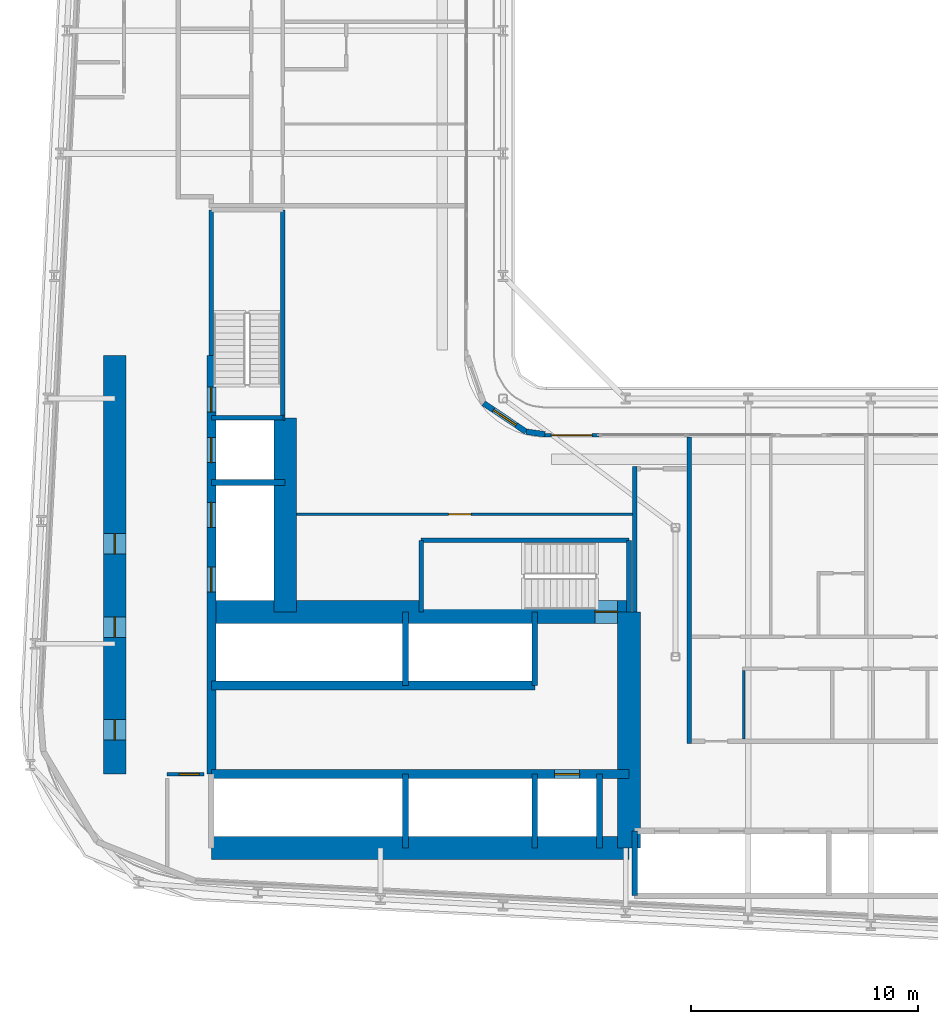
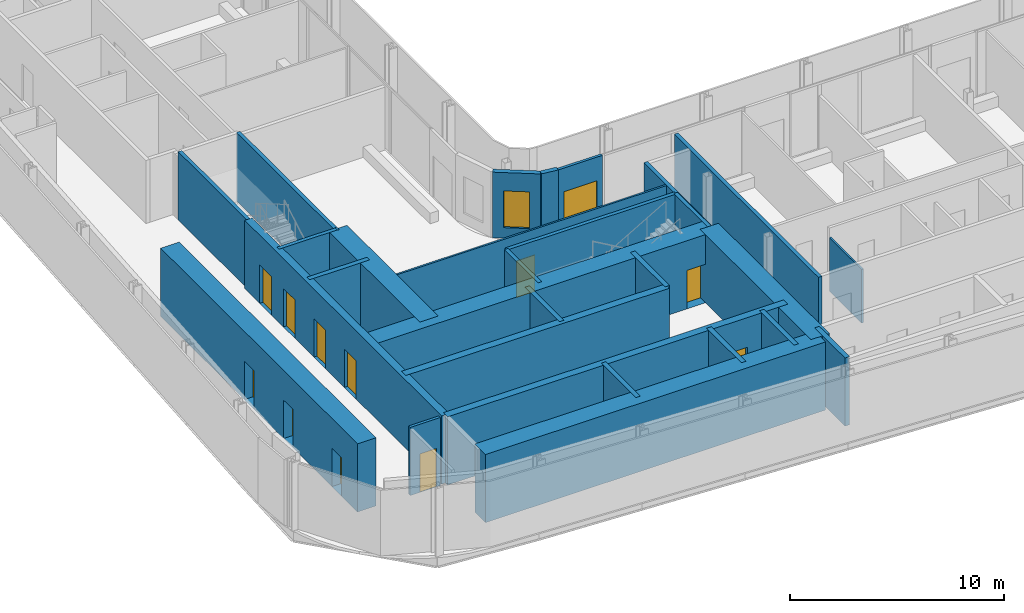
# One storey, part 12 of 27: 30 walls, 12 doors, 1 window, 13 openings.
"""IFC4 building model written with IfcOpenShell, lengths in metres."""

from ifc_helpers import new_model, si_unit, direction, frame, frame_2d, origin, place, context, subcontext, project, spatial, rectangle, extrude, source, transform, mapped, material, layer, layer_set, type_object, element, fill, save


model = new_model("IFC4")

# Units and contexts
model_context = context("Model", 3, precision=1e-05, world=origin(), true_north=direction((0.0, 1.0)))
body_context = subcontext(model_context, "Body", "Model", "MODEL_VIEW")
ifc_project = project(units=[si_unit("LENGTHUNIT", "METRE"), si_unit("AREAUNIT", "SQUARE_METRE"), si_unit("VOLUMEUNIT", "CUBIC_METRE"), si_unit("PLANEANGLEUNIT", "RADIAN"), si_unit("MASSUNIT", "GRAM", prefix="KILO")], contexts=[model_context])

# Site, building, storey
site_placement = place(None, origin())
site = spatial("IfcSite", under=ifc_project, at=site_placement, CompositionType="ELEMENT")
building_placement = place(site_placement, origin())
building = spatial("IfcBuilding", under=site, at=building_placement, Name="Kheshtan School and Residences Tower", CompositionType="ELEMENT")
storey_placement = place(building_placement, frame((0.0, 0.0, 53.89990234375)))
storey = spatial("IfcBuildingStorey", under=building, at=storey_placement, Name="L12", CompositionType="ELEMENT", Elevation=53.89990234375)

# Wall
ifc_material_1 = material(Name="Concrete C80/95", Category="concrete")
ifc_layer_1 = layer(ifc_material_1, 1.0)
ifc_layer_set_1 = layer_set([ifc_layer_1], Name="Core wall 1000 Concrete C80/95")
wall_type_1 = type_object("IfcWallType", Name="Core wall 1000 Concrete C80/95", PredefinedType="SHEAR", material=ifc_layer_set_1)
wall_1_placement = place(storey_placement, frame((34.75, 25.800048828125, 0.0), z_axis=(0.0, 0.0, 1.0), x_axis=(1.0, 0.0, 0.0)))
element("IfcWall", 1, at=wall_1_placement, inside=storey, type_object=wall_type_1, Name="Core wall CW-REAR-S", PredefinedType="SHEAR", context=body_context, shape_type="SweptSolid", body=[
    extrude(rectangle(XDim=18.39990234375, YDim=1.0, at=frame_2d((9.199951171875, 0.0))), origin(), (0.0, 0.0, 1.0), 3.900146484375),
])

# Wall, opening, door
wall_2_placement = place(storey_placement, frame((34.75, 36.199951171875, 0.0), z_axis=(0.0, 0.0, 1.0), x_axis=(1.0, 0.0, 0.0)))
wall_2 = element("IfcWall", 2, at=wall_2_placement, inside=storey, type_object=wall_type_1, Name="Core wall CW-FRONT-S", PredefinedType="SHEAR", context=body_context, shape_type="SweptSolid", body=[
    extrude(rectangle(XDim=18.39990234375, YDim=1.0, at=frame_2d((9.199951171875, 0.0))), origin(), (0.0, 0.0, 1.0), 3.900146484375),
])
opening_1_placement = place(wall_2_placement, frame((16.89990234375, 0.0, 0.0)))
opening_1 = element("IfcOpeningElement", 3, at=opening_1_placement, cuts=wall_2, Name="Opening ST1D", PredefinedType="OPENING", context=body_context, shape_type="SweptSolid", body=[
    extrude(rectangle(XDim=1.0, YDim=2.199951171875, at=frame_2d((0.5, 1.10009765625))), frame((0.0, 0.510009765625, 0.0), z_axis=(0.0, -1.0, 0.0), x_axis=(1.0, 0.0, 0.0)), (0.0, 0.0, 1.0), 1.02001953125),
])
ifc_material_2 = material(Name="Steel door leaf, galvanised", Category="steel")
door_type_1 = type_object("IfcDoorType", Name="Stair door 1100 steel 90 min", OperationType="SINGLE_SWING_LEFT", PredefinedType="DOOR", material=ifc_material_2)
shared_shape_1 = source(origin(), body_context, "Body", "SweptSolid", [
    extrude(rectangle(XDim=1.0, YDim=2.199951171875, at=frame_2d((0.5, 1.10009765625))), frame((0.0, 0.02490234375, 0.0), z_axis=(0.0, -1.0, 0.0), x_axis=(1.0, 0.0, 0.0)), (0.0, 0.0, 1.0), 0.050048828125),
])
door_1_placement = place(opening_1_placement, origin())
door_1 = element("IfcDoor", 4, at=door_1_placement, inside=storey, type_object=door_type_1, Name="Stair ST1 door", OperationType="SINGLE_SWING_RIGHT", OverallHeight=2.199951171875, OverallWidth=1.0, PredefinedType="DOOR", context=body_context, shape_type="MappedRepresentation", body=[
    mapped(shared_shape_1, transform((0.0, 0.0, 0.0), x_axis=(1.0, 0.0, 0.0), y_axis=(0.0, 1.0, 0.0), z_axis=(0.0, 0.0, 1.0), scale=1.0)),
])
fill(opening_1, door_1)

# Wall
wall_3_placement = place(storey_placement, frame((38.0, 36.199951171875, 0.0), z_axis=(0.0, 0.0, 1.0), x_axis=(0.0, 1.0, 0.0)))
element("IfcWall", 5, at=wall_3_placement, inside=storey, type_object=wall_type_1, Name="Core wall CW-FRONT-W", PredefinedType="SHEAR", context=body_context, shape_type="SweptSolid", body=[
    extrude(rectangle(XDim=8.550048828125, YDim=1.0, at=frame_2d((4.27490234375, 0.0))), origin(), (0.0, 0.0, 1.0), 3.900146484375),
])

# Wall, openings, doors
wall_4_placement = place(storey_placement, frame((30.5, 29.050048828125, 0.0), z_axis=(0.0, 0.0, 1.0), x_axis=(0.0, 1.0, 0.0)))
wall_4 = element("IfcWall", 6, at=wall_4_placement, inside=storey, type_object=wall_type_1, Name="Core wall CW-REAR-W", PredefinedType="SHEAR", context=body_context, shape_type="SweptSolid", body=[
    extrude(rectangle(XDim=18.449951171875, YDim=1.0, at=frame_2d((9.22509765625, 0.0))), origin(), (0.0, 0.0, 1.0), 3.900146484375),
])
opening_2_placement = place(wall_4_placement, frame((1.5, 0.0, 0.0)))
opening_2 = element("IfcOpeningElement", 7, at=opening_2_placement, cuts=wall_4, Name="Opening SR90", PredefinedType="OPENING", context=body_context, shape_type="SweptSolid", body=[
    extrude(rectangle(XDim=0.89990234375, YDim=2.199951171875, at=frame_2d((0.449951171875, 1.10009765625))), frame((0.0, 0.510009765625, 0.0), z_axis=(0.0, -1.0, 0.0), x_axis=(1.0, 0.0, 0.0)), (0.0, 0.0, 1.0), 1.02001953125),
])
opening_3_placement = place(wall_4_placement, frame((6.030029296875, 0.0, 0.0)))
opening_3 = element("IfcOpeningElement", 8, at=opening_3_placement, cuts=wall_4, Name="Opening SR90", PredefinedType="OPENING", context=body_context, shape_type="SweptSolid", body=[
    extrude(rectangle(XDim=0.89990234375, YDim=2.199951171875, at=frame_2d((0.449951171875, 1.10009765625))), frame((0.0, 0.510009765625, 0.0), z_axis=(0.0, -1.0, 0.0), x_axis=(1.0, 0.0, 0.0)), (0.0, 0.0, 1.0), 1.02001953125),
])
opening_4_placement = place(wall_4_placement, frame((9.699951171875, 0.0, 0.0)))
opening_4 = element("IfcOpeningElement", 9, at=opening_4_placement, cuts=wall_4, Name="Opening SR90", PredefinedType="OPENING", context=body_context, shape_type="SweptSolid", body=[
    extrude(rectangle(XDim=0.89990234375, YDim=2.199951171875, at=frame_2d((0.449951171875, 1.10009765625))), frame((0.0, 0.510009765625, 0.0), z_axis=(0.0, -1.0, 0.0), x_axis=(1.0, 0.0, 0.0)), (0.0, 0.0, 1.0), 1.02001953125),
])
door_type_2 = type_object("IfcDoorType", Name="Service room door 900 steel 90 min", OperationType="SINGLE_SWING_LEFT", PredefinedType="DOOR", material=ifc_material_2)
shared_shape_2 = source(origin(), body_context, "Body", "SweptSolid", [
    extrude(rectangle(XDim=0.89990234375, YDim=2.199951171875, at=frame_2d((0.449951171875, 1.10009765625))), frame((0.0, 0.02490234375, 0.0), z_axis=(0.0, -1.0, 0.0), x_axis=(1.0, 0.0, 0.0)), (0.0, 0.0, 1.0), 0.050048828125),
])
door_2_placement = place(opening_2_placement, origin())
door_2 = element("IfcDoor", 10, at=door_2_placement, inside=storey, type_object=door_type_2, Name="Service room door", OperationType="SINGLE_SWING_LEFT", OverallHeight=2.199951171875, OverallWidth=0.89990234375, PredefinedType="DOOR", context=body_context, shape_type="MappedRepresentation", body=[
    mapped(shared_shape_2, transform((0.0, 0.0, 0.0), x_axis=(1.0, 0.0, 0.0), y_axis=(0.0, 1.0, 0.0), z_axis=(0.0, 0.0, 1.0), scale=1.0)),
])
fill(opening_2, door_2)
door_3_placement = place(opening_3_placement, origin())
door_3 = element("IfcDoor", 11, at=door_3_placement, inside=storey, type_object=door_type_2, Name="Service room door", OperationType="SINGLE_SWING_RIGHT", OverallHeight=2.199951171875, OverallWidth=0.89990234375, PredefinedType="DOOR", context=body_context, shape_type="MappedRepresentation", body=[
    mapped(shared_shape_2, transform((0.0, 0.0, 0.0), x_axis=(1.0, 0.0, 0.0), y_axis=(0.0, 1.0, 0.0), z_axis=(0.0, 0.0, 1.0), scale=1.0)),
])
fill(opening_3, door_3)
door_4_placement = place(opening_4_placement, origin())
door_4 = element("IfcDoor", 12, at=door_4_placement, inside=storey, type_object=door_type_2, Name="Service room door", OperationType="SINGLE_SWING_LEFT", OverallHeight=2.199951171875, OverallWidth=0.89990234375, PredefinedType="DOOR", context=body_context, shape_type="MappedRepresentation", body=[
    mapped(shared_shape_2, transform((0.0, 0.0, 0.0), x_axis=(1.0, 0.0, 0.0), y_axis=(0.0, 1.0, 0.0), z_axis=(0.0, 0.0, 1.0), scale=1.0)),
])
fill(opening_4, door_4)

# Wall
wall_5_placement = place(storey_placement, frame((53.14990234375, 25.800048828125, 0.0), z_axis=(0.0, 0.0, 1.0), x_axis=(0.0, 1.0, 0.0)))
element("IfcWall", 13, at=wall_5_placement, inside=storey, type_object=wall_type_1, Name="Core wall CW-EAST", PredefinedType="SHEAR", context=body_context, shape_type="SweptSolid", body=[
    extrude(rectangle(XDim=10.39990234375, YDim=1.0, at=frame_2d((5.199951171875, 0.0))), origin(), (0.0, 0.0, 1.0), 3.900146484375),
])

# Wall, opening, door
ifc_material_3 = material(Name="Concrete C50/60", Category="concrete")
ifc_layer_2 = layer(ifc_material_3, 0.39990234375)
ifc_layer_set_2 = layer_set([ifc_layer_2], Name="Core wall 400 Concrete C50/60")
wall_type_2 = type_object("IfcWallType", Name="Core wall 400 Concrete C50/60", PredefinedType="SHEAR", material=ifc_layer_set_2)
wall_6_placement = place(storey_placement, frame((34.75, 29.050048828125, 0.0), z_axis=(0.0, 0.0, 1.0), x_axis=(1.0, 0.0, 0.0)))
wall_6 = element("IfcWall", 14, at=wall_6_placement, inside=storey, type_object=wall_type_2, Name="Core wall CW-HALL-S1", PredefinedType="SHEAR", context=body_context, shape_type="SweptSolid", body=[
    extrude(rectangle(XDim=18.39990234375, YDim=0.39990234375, at=frame_2d((9.199951171875, 0.0))), origin(), (0.0, 0.0, 1.0), 3.900146484375),
])
opening_5_placement = place(wall_6_placement, frame((15.125, 0.0, 0.0)))
opening_5 = element("IfcOpeningElement", 15, at=opening_5_placement, cuts=wall_6, Name="Opening LD", PredefinedType="OPENING", context=body_context, shape_type="SweptSolid", body=[
    extrude(rectangle(XDim=1.10009765625, YDim=2.199951171875, at=frame_2d((0.550048828125, 1.10009765625))), frame((0.0, 0.2099609375, 0.0), z_axis=(0.0, -1.0, 0.0), x_axis=(1.0, 0.0, 0.0)), (0.0, 0.0, 1.0), 0.419921875),
])
ifc_material_4 = material(Name="Stainless steel door leaves", Category="steel")
door_type_3 = type_object("IfcDoorType", Name="Lift landing door 1100", OperationType="SLIDING_TO_LEFT", PredefinedType="DOOR", material=ifc_material_4)
shared_shape_3 = source(origin(), body_context, "Body", "SweptSolid", [
    extrude(rectangle(XDim=1.10009765625, YDim=2.199951171875, at=frame_2d((0.550048828125, 1.10009765625))), frame((0.0, 0.02490234375, 0.0), z_axis=(0.0, -1.0, 0.0), x_axis=(1.0, 0.0, 0.0)), (0.0, 0.0, 1.0), 0.050048828125),
])
door_5_placement = place(opening_5_placement, origin())
door_5 = element("IfcDoor", 16, at=door_5_placement, inside=storey, type_object=door_type_3, Name="Lift FFL2 landing door", OperationType="SLIDING_TO_LEFT", OverallHeight=2.199951171875, OverallWidth=1.10009765625, PredefinedType="DOOR", context=body_context, shape_type="MappedRepresentation", body=[
    mapped(shared_shape_3, transform((0.0, 0.0, 0.0), x_axis=(1.0, 0.0, 0.0), y_axis=(0.0, 1.0, 0.0), z_axis=(0.0, 0.0, 1.0), scale=1.0)),
])
fill(opening_5, door_5)

# Wall
wall_7_placement = place(storey_placement, frame((34.75, 32.949951171875, 0.0), z_axis=(0.0, 0.0, 1.0), x_axis=(1.0, 0.0, 0.0)))
element("IfcWall", 17, at=wall_7_placement, inside=storey, type_object=wall_type_2, Name="Core wall CW-HALL-S2", PredefinedType="SHEAR", context=body_context, shape_type="SweptSolid", body=[
    extrude(rectangle(XDim=14.25, YDim=0.39990234375, at=frame_2d((7.125, 0.0))), origin(), (0.0, 0.0, 1.0), 3.900146484375),
])

# Wall, openings, doors
wall_8_placement = place(storey_placement, frame((34.75, 29.050048828125, 0.0), z_axis=(0.0, 0.0, 1.0), x_axis=(0.0, 1.0, 0.0)))
wall_8 = element("IfcWall", 18, at=wall_8_placement, inside=storey, type_object=wall_type_2, Name="Core wall CW-HALL-W1", PredefinedType="SHEAR", context=body_context, shape_type="SweptSolid", body=[
    extrude(rectangle(XDim=18.449951171875, YDim=0.39990234375, at=frame_2d((9.22509765625, 0.0))), origin(), (0.0, 0.0, 1.0), 3.900146484375),
])
opening_6_placement = place(wall_8_placement, frame((8.02490234375, 0.0, 0.0)))
opening_6 = element("IfcOpeningElement", 19, at=opening_6_placement, cuts=wall_8, Name="Opening LD", PredefinedType="OPENING", context=body_context, shape_type="SweptSolid", body=[
    extrude(rectangle(XDim=1.10009765625, YDim=2.199951171875, at=frame_2d((0.550048828125, 1.10009765625))), frame((0.0, 0.2099609375, 0.0), z_axis=(0.0, -1.0, 0.0), x_axis=(1.0, 0.0, 0.0)), (0.0, 0.0, 1.0), 0.419921875),
])
opening_7_placement = place(wall_8_placement, frame((10.875, 0.0, 0.0)))
opening_7 = element("IfcOpeningElement", 20, at=opening_7_placement, cuts=wall_8, Name="Opening LD", PredefinedType="OPENING", context=body_context, shape_type="SweptSolid", body=[
    extrude(rectangle(XDim=1.10009765625, YDim=2.199951171875, at=frame_2d((0.550048828125, 1.10009765625))), frame((0.0, 0.2099609375, 0.0), z_axis=(0.0, -1.0, 0.0), x_axis=(1.0, 0.0, 0.0)), (0.0, 0.0, 1.0), 0.419921875),
])
opening_8_placement = place(wall_8_placement, frame((13.72509765625, 0.0, 0.0)))
opening_8 = element("IfcOpeningElement", 21, at=opening_8_placement, cuts=wall_8, Name="Opening LD", PredefinedType="OPENING", context=body_context, shape_type="SweptSolid", body=[
    extrude(rectangle(XDim=1.10009765625, YDim=2.199951171875, at=frame_2d((0.550048828125, 1.10009765625))), frame((0.0, 0.2099609375, 0.0), z_axis=(0.0, -1.0, 0.0), x_axis=(1.0, 0.0, 0.0)), (0.0, 0.0, 1.0), 0.419921875),
])
opening_9_placement = place(wall_8_placement, frame((15.949951171875, 0.0, 0.0)))
opening_9 = element("IfcOpeningElement", 22, at=opening_9_placement, cuts=wall_8, Name="Opening ST2D", PredefinedType="OPENING", context=body_context, shape_type="SweptSolid", body=[
    extrude(rectangle(XDim=1.10009765625, YDim=2.199951171875, at=frame_2d((0.550048828125, 1.10009765625))), frame((0.0, 0.2099609375, 0.0), z_axis=(0.0, -1.0, 0.0), x_axis=(1.0, 0.0, 0.0)), (0.0, 0.0, 1.0), 0.419921875),
])
door_6_placement = place(opening_6_placement, origin())
door_6 = element("IfcDoor", 23, at=door_6_placement, inside=storey, type_object=door_type_3, Name="Lift SV1 landing door", OperationType="SLIDING_TO_LEFT", OverallHeight=2.199951171875, OverallWidth=1.10009765625, PredefinedType="DOOR", context=body_context, shape_type="MappedRepresentation", body=[
    mapped(shared_shape_3, transform((0.0, 0.0, 0.0), x_axis=(1.0, 0.0, 0.0), y_axis=(0.0, 1.0, 0.0), z_axis=(0.0, 0.0, 1.0), scale=1.0)),
])
fill(opening_6, door_6)
door_7_placement = place(opening_7_placement, origin())
door_7 = element("IfcDoor", 24, at=door_7_placement, inside=storey, type_object=door_type_3, Name="Lift SV2 landing door", OperationType="SLIDING_TO_LEFT", OverallHeight=2.199951171875, OverallWidth=1.10009765625, PredefinedType="DOOR", context=body_context, shape_type="MappedRepresentation", body=[
    mapped(shared_shape_3, transform((0.0, 0.0, 0.0), x_axis=(1.0, 0.0, 0.0), y_axis=(0.0, 1.0, 0.0), z_axis=(0.0, 0.0, 1.0), scale=1.0)),
])
fill(opening_7, door_7)
door_8_placement = place(opening_8_placement, origin())
door_8 = element("IfcDoor", 25, at=door_8_placement, inside=storey, type_object=door_type_3, Name="Lift FFL1 landing door", OperationType="SLIDING_TO_LEFT", OverallHeight=2.199951171875, OverallWidth=1.10009765625, PredefinedType="DOOR", context=body_context, shape_type="MappedRepresentation", body=[
    mapped(shared_shape_3, transform((0.0, 0.0, 0.0), x_axis=(1.0, 0.0, 0.0), y_axis=(0.0, 1.0, 0.0), z_axis=(0.0, 0.0, 1.0), scale=1.0)),
])
fill(opening_8, door_8)
shared_shape_4 = source(origin(), body_context, "Body", "SweptSolid", [
    extrude(rectangle(XDim=1.10009765625, YDim=2.199951171875, at=frame_2d((0.550048828125, 1.10009765625))), frame((0.0, 0.02490234375, 0.0), z_axis=(0.0, -1.0, 0.0), x_axis=(1.0, 0.0, 0.0)), (0.0, 0.0, 1.0), 0.050048828125),
])
door_9_placement = place(opening_9_placement, origin())
door_9 = element("IfcDoor", 26, at=door_9_placement, inside=storey, type_object=door_type_1, Name="Stair ST2 door", OperationType="SINGLE_SWING_RIGHT", OverallHeight=2.199951171875, OverallWidth=1.10009765625, PredefinedType="DOOR", context=body_context, shape_type="MappedRepresentation", body=[
    mapped(shared_shape_4, transform((0.0, 0.0, 0.0), x_axis=(1.0, 0.0, 0.0), y_axis=(0.0, 1.0, 0.0), z_axis=(0.0, 0.0, 1.0), scale=1.0)),
])
fill(opening_9, door_9)

# Wall
ifc_material_5 = material(Name="Gypsum board on steel studs with fire boards", Category="steel")
ifc_layer_3 = layer(ifc_material_5, 0.199951171875)
ifc_layer_set_3 = layer_set([ifc_layer_3], Name="Corridor wall 200")
wall_type_3 = type_object("IfcWallType", Name="Corridor wall 200", PredefinedType="PARTITIONING", material=ifc_layer_set_3)
wall_9_placement = place(storey_placement, frame((53.39990234375, 36.198974609375, 0.0), z_axis=(0.0, 0.0, 1.0), x_axis=(0.0, 1.0, 0.0)))
element("IfcWall", 27, at=wall_9_placement, inside=storey, type_object=wall_type_3, Name="Partition L12-043", PredefinedType="PARTITIONING", context=body_context, shape_type="SweptSolid", body=[
    extrude(rectangle(XDim=6.401123046875, YDim=0.199951171875, at=frame_2d((3.20068359375, 0.0))), origin(), (0.0, 0.0, 1.0), 3.60009765625),
])

# Wall, opening, window
ifc_material_6 = material(Name="Concrete C40/50 with ceramic cladding and mineral wool insulation", Category="concrete")
ifc_layer_4 = layer(ifc_material_6, 0.25)
ifc_layer_set_4 = layer_set([ifc_layer_4], Name="External wall 250 ceramic clad")
wall_type_4 = type_object("IfcWallType", Name="External wall 250 ceramic clad", PredefinedType="SOLIDWALL", material=ifc_layer_set_4)
wall_10_placement = place(storey_placement, frame((46.742919921875, 45.388916015625, 0.0), z_axis=(0.0, 0.0, 1.0), x_axis=(0.831449265529, -0.555600682912, 0.0)))
wall_10 = element("IfcWall", 28, at=wall_10_placement, inside=storey, type_object=wall_type_4, Name="External wall L12 10", PredefinedType="SOLIDWALL", context=body_context, shape_type="SweptSolid", body=[
    extrude(rectangle(XDim=2.25146484375, YDim=0.25, at=frame_2d((1.125732421875, 0.0))), origin(), (0.0, 0.0, 1.0), 3.75),
])
opening_10_placement = place(wall_10_placement, frame((0.52490234375, 0.0, 0.60009765625)))
opening_10 = element("IfcOpeningElement", 29, at=opening_10_placement, cuts=wall_10, Name="Opening WN-E", PredefinedType="OPENING", context=body_context, shape_type="SweptSolid", body=[
    extrude(rectangle(XDim=1.199951171875, YDim=2.10009765625, at=frame_2d((0.60009765625, 1.050048828125))), frame((0.0, 0.135009765625, 0.0), z_axis=(0.0, -1.0, 0.0), x_axis=(1.0, 0.0, 0.0)), (0.0, 0.0, 1.0), 0.27001953125),
])
ifc_material_7 = material(Name="Clear low-e glass in thermally broken aluminium frame", Category="aluminium")
window_type = type_object("IfcWindowType", Name="Window WN-E", PartitioningType="SINGLE_PANEL", PredefinedType="WINDOW", material=ifc_material_7)
shared_shape_5 = source(origin(), body_context, "Body", "SweptSolid", [
    extrude(rectangle(XDim=1.199951171875, YDim=2.10009765625, at=frame_2d((0.60009765625, 1.050048828125))), frame((0.0, 0.030029296875, 0.0), z_axis=(0.0, -1.0, 0.0), x_axis=(1.0, 0.0, 0.0)), (0.0, 0.0, 1.0), 0.06005859375),
])
window_placement = place(opening_10_placement, origin())
window = element("IfcWindow", 30, at=window_placement, inside=storey, type_object=window_type, Name="Window L12 10", OverallHeight=2.10009765625, OverallWidth=1.199951171875, PartitioningType="SINGLE_PANEL", PredefinedType="WINDOW", context=body_context, shape_type="MappedRepresentation", body=[
    mapped(shared_shape_5, transform((0.0, 0.0, 0.0), x_axis=(1.0, 0.0, 0.0), y_axis=(0.0, 1.0, 0.0), z_axis=(0.0, 0.0, 1.0), scale=1.0)),
])
fill(opening_10, window)

# Wall
wall_11_placement = place(storey_placement, frame((48.614990234375, 44.137939453125, 0.0), z_axis=(0.0, 0.0, 1.0), x_axis=(0.990741504246, -0.135761819977, 0.0)))
element("IfcWall", 31, at=wall_11_placement, inside=storey, type_object=wall_type_4, Name="External wall L12 11", PredefinedType="SOLIDWALL", context=body_context, shape_type="SweptSolid", body=[
    extrude(rectangle(XDim=0.83984375, YDim=0.25, at=frame_2d((0.419921875, 0.0))), origin(), (0.0, 0.0, 1.0), 3.75),
])

# Wall, opening, door
ifc_material_8 = material(Name="Aluminium frame wall with insulated infill", Category="aluminium")
ifc_layer_5 = layer(ifc_material_8, 0.14990234375)
ifc_layer_set_5 = layer_set([ifc_layer_5], Name="Glazing frame wall 150")
wall_type_5 = type_object("IfcWallType", Name="Glazing frame wall 150", PredefinedType="SOLIDWALL", material=ifc_layer_set_5)
wall_12_placement = place(storey_placement, frame((49.429931640625, 43.97509765625, 0.0), z_axis=(0.0, 0.0, 1.0), x_axis=(1.0, 0.0, 0.0)))
wall_12 = element("IfcWall", 32, at=wall_12_placement, inside=storey, type_object=wall_type_5, Name="Balcony door wall L12 12.1", PredefinedType="SOLIDWALL", context=body_context, shape_type="SweptSolid", body=[
    extrude(rectangle(XDim=2.400146484375, YDim=0.14990234375, at=frame_2d((1.2001953125, 0.0))), origin(), (0.0, 0.0, 1.0), 3.75),
])
opening_11_placement = place(wall_12_placement, frame((0.300048828125, 0.0, 0.0)))
opening_11 = element("IfcOpeningElement", 33, at=opening_11_placement, cuts=wall_12, Name="Opening BD", PredefinedType="OPENING", context=body_context, shape_type="SweptSolid", body=[
    extrude(rectangle(XDim=1.800048828125, YDim=2.39990234375, at=frame_2d((0.89990234375, 1.199951171875))), frame((0.0, 0.0849609375, 0.0), z_axis=(0.0, -1.0, 0.0), x_axis=(1.0, 0.0, 0.0)), (0.0, 0.0, 1.0), 0.169921875),
])
door_type_4 = type_object("IfcDoorType", Name="Balcony sliding door", OperationType="SLIDING_TO_LEFT", PredefinedType="DOOR", material=ifc_material_7)
shared_shape_6 = source(origin(), body_context, "Body", "SweptSolid", [
    extrude(rectangle(XDim=1.800048828125, YDim=2.39990234375, at=frame_2d((0.89990234375, 1.199951171875))), frame((0.0, 0.02490234375, 0.0), z_axis=(0.0, -1.0, 0.0), x_axis=(1.0, 0.0, 0.0)), (0.0, 0.0, 1.0), 0.050048828125),
])
door_10_placement = place(opening_11_placement, origin())
door_10 = element("IfcDoor", 34, at=door_10_placement, inside=storey, type_object=door_type_4, Name="Balcony door L12 12.1", OperationType="SLIDING_TO_LEFT", OverallHeight=2.39990234375, OverallWidth=1.800048828125, PredefinedType="DOOR", context=body_context, shape_type="MappedRepresentation", body=[
    mapped(shared_shape_6, transform((0.0, 0.0, 0.0), x_axis=(1.0, 0.0, 0.0), y_axis=(0.0, 1.0, 0.0), z_axis=(0.0, 0.0, 1.0), scale=1.0)),
])
fill(opening_11, door_10)

ifc_material_9 = material(Name="Gypsum board on steel studs", Category="steel")
ifc_layer_6 = layer(ifc_material_9, 0.10009765625)
ifc_layer_set_6 = layer_set([ifc_layer_6], Name="Gypsum partition 100")
wall_type_6 = type_object("IfcWallType", Name="Gypsum partition 100", PredefinedType="PARTITIONING", material=ifc_layer_set_6)
wall_13_placement = place(storey_placement, frame((38.4990234375, 40.5, 0.0), z_axis=(0.0, 0.0, 1.0), x_axis=(1.0, 0.0, 0.0)))
wall_13 = element("IfcWall", 35, at=wall_13_placement, inside=storey, type_object=wall_type_6, Name="Partition L12-040", PredefinedType="PARTITIONING", context=body_context, shape_type="SweptSolid", body=[
    extrude(rectangle(XDim=14.801025390625, YDim=0.10009765625, at=frame_2d((7.400390625, 0.0))), origin(), (0.0, 0.0, 1.0), 3.60009765625),
])
opening_12_placement = place(wall_13_placement, frame((6.700927734375, 0.0, 0.0)))
opening_12 = element("IfcOpeningElement", 36, at=opening_12_placement, cuts=wall_13, Name="Opening D12-058", PredefinedType="OPENING", context=body_context, shape_type="SweptSolid", body=[
    extrude(rectangle(XDim=1.0, YDim=2.10009765625, at=frame_2d((0.5, 1.050048828125))), frame((0.0, 0.06005859375, 0.0), z_axis=(0.0, -1.0, 0.0), x_axis=(1.0, 0.0, 0.0)), (0.0, 0.0, 1.0), 0.1201171875),
])
ifc_material_10 = material(Name="Veneered timber door leaf", Category="wood")
door_type_5 = type_object("IfcDoorType", Name="Door 1000 x 2100", OperationType="SINGLE_SWING_LEFT", PredefinedType="DOOR", material=ifc_material_10)
shared_shape_7 = source(origin(), body_context, "Body", "SweptSolid", [
    extrude(rectangle(XDim=1.0, YDim=2.10009765625, at=frame_2d((0.5, 1.050048828125))), frame((0.0, 0.02490234375, 0.0), z_axis=(0.0, -1.0, 0.0), x_axis=(1.0, 0.0, 0.0)), (0.0, 0.0, 1.0), 0.050048828125),
])
door_11_placement = place(opening_12_placement, origin())
door_11 = element("IfcDoor", 37, at=door_11_placement, inside=storey, type_object=door_type_5, Name="Door D12-058", OperationType="SINGLE_SWING_RIGHT", OverallHeight=2.10009765625, OverallWidth=1.0, PredefinedType="DOOR", context=body_context, shape_type="MappedRepresentation", body=[
    mapped(shared_shape_7, transform((0.0, 0.0, 0.0), x_axis=(1.0, 0.0, 0.0), y_axis=(0.0, 1.0, 0.0), z_axis=(0.0, 0.0, 1.0), scale=1.0)),
])
fill(opening_12, door_11)

# Wall
wall_14_placement = place(storey_placement, frame((58.199951171875, 30.60009765625, 0.0), z_axis=(0.0, 0.0, 1.0), x_axis=(0.0, 1.0, 0.0)))
element("IfcWall", 38, at=wall_14_placement, inside=storey, type_object=wall_type_6, Name="Partition L12-049", PredefinedType="PARTITIONING", context=body_context, shape_type="SweptSolid", body=[
    extrude(rectangle(XDim=3.02490234375, YDim=0.10009765625, at=frame_2d((1.512451171875, 0.0))), origin(), (0.0, 0.0, 1.0), 3.072021484375),
])

# Wall, opening, door
ifc_material_11 = material(Name="Fire-board shaft wall system")
ifc_layer_7 = layer(ifc_material_11, 0.14990234375)
ifc_layer_set_7 = layer_set([ifc_layer_7], Name="Service room wall 150")
wall_type_7 = type_object("IfcWallType", Name="Service room wall 150", PredefinedType="PARTITIONING", material=ifc_layer_set_7)
wall_15_placement = place(storey_placement, frame((32.804931640625, 29.050048828125, 0.0), z_axis=(0.0, 0.0, 1.0), x_axis=(1.0, 0.0, 0.0)))
wall_15 = element("IfcWall", 39, at=wall_15_placement, inside=storey, type_object=wall_type_7, Name="Service room wall", PredefinedType="PARTITIONING", context=body_context, shape_type="SweptSolid", body=[
    extrude(rectangle(XDim=1.625, YDim=0.14990234375, at=frame_2d((0.8125, 0.0))), origin(), (0.0, 0.0, 1.0), 3.900146484375),
])
opening_13_placement = place(wall_15_placement, frame((0.52294921875, 0.0, 0.0)))
opening_13 = element("IfcOpeningElement", 40, at=opening_13_placement, cuts=wall_15, Name="Opening SR90", PredefinedType="OPENING", context=body_context, shape_type="SweptSolid", body=[
    extrude(rectangle(XDim=0.89990234375, YDim=2.199951171875, at=frame_2d((0.449951171875, 1.10009765625))), frame((0.0, 0.0849609375, 0.0), z_axis=(0.0, -1.0, 0.0), x_axis=(1.0, 0.0, 0.0)), (0.0, 0.0, 1.0), 0.169921875),
])
door_12_placement = place(opening_13_placement, origin())
door_12 = element("IfcDoor", 41, at=door_12_placement, inside=storey, type_object=door_type_2, Name="Service room door", OperationType="SINGLE_SWING_LEFT", OverallHeight=2.199951171875, OverallWidth=0.89990234375, PredefinedType="DOOR", context=body_context, shape_type="MappedRepresentation", body=[
    mapped(shared_shape_2, transform((0.0, 0.0, 0.0), x_axis=(1.0, 0.0, 0.0), y_axis=(0.0, 1.0, 0.0), z_axis=(0.0, 0.0, 1.0), scale=1.0)),
])
fill(opening_13, door_12)

# Walls
ifc_layer_8 = layer(ifc_material_11, 0.25)
ifc_layer_set_8 = layer_set([ifc_layer_8], Name="Shaft lining wall 250")
wall_type_8 = type_object("IfcWallType", Name="Shaft lining wall 250", PredefinedType="PARTITIONING", material=ifc_layer_set_8)
for number, where, z_axis, x_axis, name in (
    (42, (43.300048828125, 25.800048828125, 0.0), (0.0, 0.0, 1.0), (0.0, 1.0, 0.0), "Shaft lining wall"),
    (43, (43.300048828125, 32.949951171875, 0.0), (0.0, 0.0, 1.0), (0.0, 1.0, 0.0), "Shaft lining wall"),
    (44, (49.0, 25.800048828125, 0.0), (0.0, 0.0, 1.0), (0.0, 1.0, 0.0), "Shaft lining wall"),
    (45, (49.0, 32.949951171875, 0.0), (0.0, 0.0, 1.0), (0.0, 1.0, 0.0), "Shaft lining wall"),
    (46, (51.85009765625, 25.800048828125, 0.0), (0.0, 0.0, 1.0), (0.0, 1.0, 0.0), "Shaft lining wall"),
):
    element("IfcWall", number, at=place(storey_placement, frame(where, z_axis=z_axis, x_axis=x_axis)), inside=storey, type_object=wall_type_8, Name=name, PredefinedType="PARTITIONING", context=body_context, shape_type="SweptSolid", body=[
        extrude(rectangle(XDim=3.25, YDim=0.25, at=frame_2d((1.625, 0.0))), origin(), (0.0, 0.0, 1.0), 3.900146484375),
    ])
wall_16_placement = place(storey_placement, frame((53.39990234375, 23.699951171875, 0.0), z_axis=(0.0, 0.0, 1.0), x_axis=(0.0, 1.0, 0.0)))
element("IfcWall", 47, at=wall_16_placement, inside=storey, type_object=wall_type_8, Name="Shaft lining wall", PredefinedType="PARTITIONING", context=body_context, shape_type="SweptSolid", body=[
    extrude(rectangle(XDim=2.85009765625, YDim=0.25, at=frame_2d((1.425048828125, 0.0))), origin(), (0.0, 0.0, 1.0), 3.900146484375),
])
wall_17_placement = place(storey_placement, frame((34.75, 41.89990234375, 0.0), z_axis=(0.0, 0.0, 1.0), x_axis=(1.0, 0.0, 0.0)))
element("IfcWall", 48, at=wall_17_placement, inside=storey, type_object=wall_type_8, Name="Shaft lining wall", PredefinedType="PARTITIONING", context=body_context, shape_type="SweptSolid", body=[
    extrude(rectangle(XDim=3.25, YDim=0.25, at=frame_2d((1.625, 0.0))), origin(), (0.0, 0.0, 1.0), 3.900146484375),
])
wall_18_placement = place(storey_placement, frame((37.89990234375, 44.75, 0.0), z_axis=(0.0, 0.0, 1.0), x_axis=(1.0, 0.0, 0.0)))
element("IfcWall", 49, at=wall_18_placement, inside=storey, type_object=wall_type_8, Name="Shaft lining wall", PredefinedType="PARTITIONING", context=body_context, shape_type="SweptSolid", body=[
    extrude(rectangle(XDim=0.10009765625, YDim=0.25, at=frame_2d((0.050048828125, 0.0))), origin(), (0.0, 0.0, 1.0), 3.900146484375),
])
ifc_material_12 = material(Name="Concrete C40/50", Category="concrete")
ifc_layer_9 = layer(ifc_material_12, 0.199951171875)
ifc_layer_set_9 = layer_set([ifc_layer_9], Name="Stair enclosure wall 200 Concrete C40/50")
wall_type_9 = type_object("IfcWallType", Name="Stair enclosure wall 200 Concrete C40/50", PredefinedType="SHEAR", material=ifc_layer_set_9)
wall_19_placement = place(storey_placement, frame((43.989990234375, 39.35009765625, 0.0), z_axis=(0.0, 0.0, 1.0), x_axis=(1.0, 0.0, 0.0)))
element("IfcWall", 50, at=wall_19_placement, inside=storey, type_object=wall_type_9, Name="Stair enclosure wall ST1", PredefinedType="SHEAR", context=body_context, shape_type="SweptSolid", body=[
    extrude(rectangle(XDim=9.159912109375, YDim=0.199951171875, at=frame_2d((4.580078125, 0.0))), origin(), (0.0, 0.0, 1.0), 3.900146484375),
])
for number, where, z_axis, x_axis, name in (
    (51, (43.989990234375, 36.199951171875, 0.0), (0.0, 0.0, 1.0), (0.0, 1.0, 0.0), "Stair enclosure wall ST1"),
    (52, (53.14990234375, 36.199951171875, 0.0), (0.0, 0.0, 1.0), (0.0, 1.0, 0.0), "Stair enclosure wall ST1"),
):
    element("IfcWall", number, at=place(storey_placement, frame(where, z_axis=z_axis, x_axis=x_axis)), inside=storey, type_object=wall_type_9, Name=name, PredefinedType="SHEAR", context=body_context, shape_type="SweptSolid", body=[
        extrude(rectangle(XDim=3.150146484375, YDim=0.199951171875, at=frame_2d((1.5751953125, 0.0))), origin(), (0.0, 0.0, 1.0), 3.900146484375),
    ])
wall_20_placement = place(storey_placement, frame((34.75, 44.75, 0.0), z_axis=(0.0, 0.0, 1.0), x_axis=(1.0, 0.0, 0.0)))
element("IfcWall", 53, at=wall_20_placement, inside=storey, type_object=wall_type_9, Name="Stair enclosure wall ST2", PredefinedType="SHEAR", context=body_context, shape_type="SweptSolid", body=[
    extrude(rectangle(XDim=3.14990234375, YDim=0.199951171875, at=frame_2d((1.574951171875, 0.0))), origin(), (0.0, 0.0, 1.0), 3.900146484375),
])
wall_21_placement = place(storey_placement, frame((34.75, 47.5, 0.0), z_axis=(0.0, 0.0, 1.0), x_axis=(0.0, 1.0, 0.0)))
element("IfcWall", 54, at=wall_21_placement, inside=storey, type_object=wall_type_9, Name="Stair enclosure wall ST2", PredefinedType="SHEAR", context=body_context, shape_type="SweptSolid", body=[
    extrude(rectangle(XDim=6.409912109375, YDim=0.199951171875, at=frame_2d((3.205078125, 0.0))), origin(), (0.0, 0.0, 1.0), 3.900146484375),
])
wall_22_placement = place(storey_placement, frame((37.89990234375, 44.75, 0.0), z_axis=(0.0, 0.0, 1.0), x_axis=(0.0, 1.0, 0.0)))
element("IfcWall", 55, at=wall_22_placement, inside=storey, type_object=wall_type_9, Name="Stair enclosure wall ST2", PredefinedType="SHEAR", context=body_context, shape_type="SweptSolid", body=[
    extrude(rectangle(XDim=9.159912109375, YDim=0.199951171875, at=frame_2d((4.580078125, 0.0))), origin(), (0.0, 0.0, 1.0), 3.900146484375),
])
ifc_material_13 = material(Name="Twin gypsum board on steel studs with mineral wool", Category="steel")
ifc_layer_10 = layer(ifc_material_13, 0.199951171875)
ifc_layer_set_10 = layer_set([ifc_layer_10], Name="Unit demising wall 200")
wall_type_10 = type_object("IfcWallType", Name="Unit demising wall 200", PredefinedType="PARTITIONING", material=ifc_layer_set_10)
wall_23_placement = place(storey_placement, frame((55.800048828125, 30.39990234375, 0.0), z_axis=(0.0, 0.0, 1.0), x_axis=(0.0, 1.0, 0.0)))
element("IfcWall", 56, at=wall_23_placement, inside=storey, type_object=wall_type_10, Name="Partition L12-045", PredefinedType="PARTITIONING", context=body_context, shape_type="SweptSolid", body=[
    extrude(rectangle(XDim=13.5, YDim=0.199951171875, at=frame_2d((6.75, 0.0))), origin(), (0.0, 0.0, 1.0), 3.60009765625),
])

save(model, "model.ifc")
